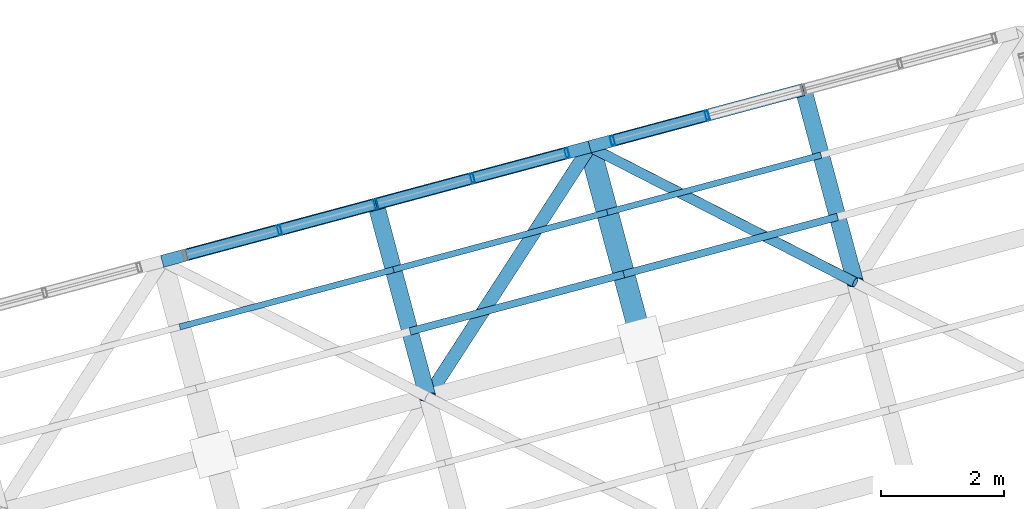
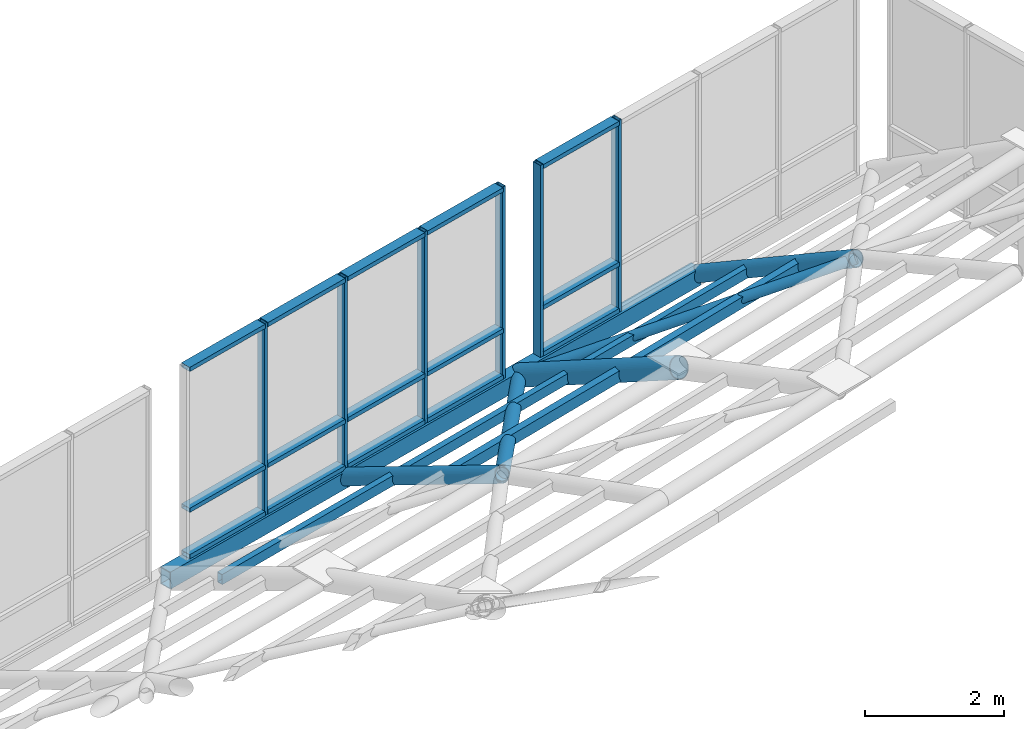
# One storey, part 20 of 29: 34 members, 2 elements without a shape of their own.
"""IFC4 building model written with IfcOpenShell, lengths in metres."""

from ifc_helpers import new_model, si_unit, direction, frame, origin, origin_2d, place, context, subcontext, project, spatial, hollow_rectangle, hollow_circle, extrude, material, layer, layer_set, material_profile, profile_set, type_object, element, aggregate, save


model = new_model("IFC4")

# Units and contexts
model_context = context("Model", 3, precision=1e-05, world=origin(), true_north=direction((0.0, 1.0)))
body_context = subcontext(model_context, "Body", "Model", "MODEL_VIEW")
ifc_project = project(units=[si_unit("LENGTHUNIT", "METRE"), si_unit("AREAUNIT", "SQUARE_METRE"), si_unit("VOLUMEUNIT", "CUBIC_METRE"), si_unit("PLANEANGLEUNIT", "RADIAN"), si_unit("MASSUNIT", "GRAM", prefix="KILO")], contexts=[model_context])

# Site, building, storey
site_placement = place(None, origin())
site = spatial("IfcSite", under=ifc_project, at=site_placement, CompositionType="ELEMENT")
building_placement = place(site_placement, origin())
building = spatial("IfcBuilding", under=site, at=building_placement, Name="Ventoquebrada Cableway Terminal", CompositionType="ELEMENT")
storey_placement = place(building_placement, frame((0.0, 0.0, 18.89990234375)))
storey = spatial("IfcBuildingStorey", under=building, at=storey_placement, Name="L04", CompositionType="ELEMENT", Elevation=18.89990234375)

# Members
ifc_material_1 = material(Name="Steel ASTM A500 Grade C", Category="steel")
ifc_material_profile_1 = material_profile(ifc_material_1, hollow_circle(Radius=0.109619140625, WallThickness=0.010009765625, at=origin_2d()), Name="CHS219.1X10")
ifc_profile_set_1 = profile_set([ifc_material_profile_1], Name="Steel ASTM A500 Grade C")
member_type_1 = type_object("IfcMemberType", Name="BRC-GS01", PredefinedType="BRACE", material=ifc_profile_set_1)
member_1_placement = place(storey_placement, frame((70.430908203125, 98.281005859375, 2.571044921875), z_axis=(0.514518979655, 0.794628506599, -0.322235559917), x_axis=(-0.839402648036, 0.543510068416, 0.0)))
element("IfcMember", 1, at=member_1_placement, inside=storey, type_object=member_type_1, Name="Saddle gridshell diagrid brace GBR-0382", PredefinedType="BRACE", context=body_context, shape_type="SweptSolid", body=[
    extrude(hollow_circle(Radius=0.109619140625, WallThickness=0.010009765625, at=origin_2d()), origin(), (0.0, 0.0, 1.0), 5.123291015625),
])
ifc_material_profile_2 = material_profile(ifc_material_1, hollow_circle(Radius=0.084228515625, WallThickness=0.008056640625, at=origin_2d()), Name="CHS168.3X8")
ifc_profile_set_2 = profile_set([ifc_material_profile_2], Name="Steel ASTM A500 Grade C")
member_type_2 = type_object("IfcMemberType", Name="BRC-GS02", PredefinedType="BRACE", material=ifc_profile_set_2)
member_2_placement = place(storey_placement, frame((73.06689453125, 102.35205078125, 0.920166015625), z_axis=(0.830464152068, -0.424362440489, 0.360895845407), x_axis=(0.455028578566, 0.890476834448, 0.0)))
element("IfcMember", 2, at=member_2_placement, inside=storey, type_object=member_type_2, Name="Saddle gridshell diagrid brace GBR-0406", PredefinedType="BRACE", context=body_context, shape_type="SweptSolid", body=[
    extrude(hollow_circle(Radius=0.084228515625, WallThickness=0.008056640625, at=origin_2d()), origin(), (0.0, 0.0, 1.0), 5.200927734375),
])
ifc_material_profile_3 = material_profile(ifc_material_1, hollow_circle(Radius=0.177734375, WallThickness=0.012451171875, at=origin_2d()), Name="CHS355.6X12.5")
ifc_profile_set_3 = profile_set([ifc_material_profile_3], Name="Steel ASTM A500 Grade C")
member_type_3 = type_object("IfcMemberType", Name="CHD-GS01", PredefinedType="CHORD", material=ifc_profile_set_3)
member_3_placement = place(storey_placement, frame((73.908935546875, 99.212890625, 2.6650390625), z_axis=(-0.228263792959, 0.850975891524, -0.473007053719), x_axis=(-0.965856133614, -0.259079001776, 0.0)))
element("IfcMember", 3, at=member_3_placement, inside=storey, type_object=member_type_3, Name="Saddle gridshell arch chord GCH-0086", PredefinedType="CHORD", context=body_context, shape_type="SweptSolid", body=[
    extrude(hollow_circle(Radius=0.177734375, WallThickness=0.012451171875, at=origin_2d()), origin(), (0.0, 0.0, 1.0), 3.68896484375),
])
ifc_material_profile_4 = material_profile(ifc_material_1, hollow_circle(Radius=0.136474609375, WallThickness=0.012451171875, at=origin_2d()), Name="CHS273.0X12.5")
ifc_profile_set_4 = profile_set([ifc_material_profile_4], Name="Steel ASTM A500 Grade C")
member_type_4 = type_object("IfcMemberType", Name="CHD-GS02", PredefinedType="CHORD", material=ifc_profile_set_4)
member_4_placement = place(storey_placement, frame((70.430908203125, 98.281005859375, 2.571044921875), z_axis=(-0.230631900019, 0.861253445456, -0.452826047599), x_axis=(-0.965965144809, -0.258672261778, 0.0)))
element("IfcMember", 4, at=member_4_placement, inside=storey, type_object=member_type_4, Name="Saddle gridshell arch chord GCH-0078", PredefinedType="CHORD", context=body_context, shape_type="SweptSolid", body=[
    extrude(hollow_circle(Radius=0.136474609375, WallThickness=0.012451171875, at=origin_2d()), origin(), (0.0, 0.0, 1.0), 3.645751953125),
])
member_5_placement = place(storey_placement, frame((77.385986328125, 100.14501953125, 2.797119140625), z_axis=(-0.224119470916, 0.836430780135, -0.500153989086), x_axis=(-0.965926253902, -0.258817449225, 0.0)))
element("IfcMember", 5, at=member_5_placement, inside=storey, type_object=member_type_4, Name="Saddle gridshell arch chord GCH-0094", PredefinedType="CHORD", context=body_context, shape_type="SweptSolid", body=[
    extrude(hollow_circle(Radius=0.136474609375, WallThickness=0.012451171875, at=origin_2d()), origin(), (0.0, 0.0, 1.0), 3.752685546875),
])
ifc_material_profile_5 = material_profile(ifc_material_1, hollow_rectangle(XDim=0.199951171875, YDim=0.300048828125, WallThickness=0.012451171875, at=origin_2d()), Name="RHS300X200X12.5")
ifc_profile_set_5 = profile_set([ifc_material_profile_5], Name="Steel ASTM A500 Grade C")
member_type_5 = type_object("IfcMemberType", Name="CHD-GS03", PredefinedType="CHORD", material=ifc_profile_set_5)
member_6_placement = place(storey_placement, frame((66.113037109375, 100.489013671875, 0.920166015625), z_axis=(0.965911114263, 0.258873944891, 0.0), x_axis=(-0.258873944891, 0.965911114263, 0.0)))
element("IfcMember", 6, at=member_6_placement, inside=storey, type_object=member_type_5, Name="Saddle gridshell longitudinal chord GLG-0189", PredefinedType="CHORD", context=body_context, shape_type="SweptSolid", body=[
    extrude(hollow_rectangle(XDim=0.199951171875, YDim=0.300048828125, WallThickness=0.012451171875, at=origin_2d()), origin(), (0.0, 0.0, 1.0), 3.599853515625),
])
member_7_placement = place(storey_placement, frame((69.590087890625, 101.4208984375, 0.920166015625), z_axis=(0.965957435169, 0.258701050329, 0.0), x_axis=(-0.258701050329, 0.965957435169, 0.0)))
element("IfcMember", 7, at=member_7_placement, inside=storey, type_object=member_type_5, Name="Saddle gridshell longitudinal chord GLG-0190", PredefinedType="CHORD", context=body_context, shape_type="SweptSolid", body=[
    extrude(hollow_rectangle(XDim=0.199951171875, YDim=0.300048828125, WallThickness=0.012451171875, at=origin_2d()), origin(), (0.0, 0.0, 1.0), 3.599365234375),
])
member_8_placement = place(storey_placement, frame((73.06689453125, 102.35205078125, 0.920166015625), z_axis=(0.965929287495, 0.25880612736, 0.0), x_axis=(-0.25880612736, 0.965929287495, 0.0)))
element("IfcMember", 8, at=member_8_placement, inside=storey, type_object=member_type_5, Name="Saddle gridshell longitudinal chord GLG-0191", PredefinedType="CHORD", context=body_context, shape_type="SweptSolid", body=[
    extrude(hollow_rectangle(XDim=0.199951171875, YDim=0.300048828125, WallThickness=0.012451171875, at=origin_2d()), origin(), (0.0, 0.0, 1.0), 3.6005859375),
])

# Curtain wall, members
ifc_material_2 = material(Name="Anodized thermally-broken aluminium", Category="aluminium")
ifc_layer = layer(ifc_material_2, 0.159912109375)
ifc_layer_set = layer_set([ifc_layer], Name="Anodized thermally-broken aluminium")
curtain_wall_type = type_object("IfcCurtainWallType", Name="CW-T45", PredefinedType="USERDEFINED", material=ifc_layer_set)
curtain_wall_1_placement = place(storey_placement, origin())
curtain_wall_1 = element("IfcCurtainWall", 9, at=curtain_wall_1_placement, inside=storey, type_object=curtain_wall_type, Name="Unitised glazed curtain wall CW-141", ObjectType="UNITISED CURTAIN WALL", PredefinedType="USERDEFINED")
ifc_material_profile_6 = material_profile(ifc_material_2, hollow_rectangle(XDim=0.06005859375, YDim=0.14990234375, WallThickness=0.00390625, at=origin_2d()), Name="CW-MUL-60X150")
ifc_profile_set_6 = profile_set([ifc_material_profile_6], Name="Anodized thermally-broken aluminium")
member_type_6 = type_object("IfcMemberType", Name="CWM-03", PredefinedType="MULLION", material=ifc_profile_set_6)
member_9_placement = place(storey_placement, frame((72.695068359375, 102.2529296875, 1.087158203125), z_axis=(0.0, 0.0, 1.0), x_axis=(-0.965894198369, -0.258937053273, 0.0)))
member_9 = element("IfcMember", 10, at=member_9_placement, type_object=member_type_6, Name="Curtain wall mullion FML-0686", PredefinedType="MULLION", context=body_context, shape_type="SweptSolid", body=[
    extrude(hollow_rectangle(XDim=0.06005859375, YDim=0.14990234375, WallThickness=0.00390625, at=origin_2d()), origin(), (0.0, 0.0, 1.0), 3.373046875),
])
member_10_placement = place(storey_placement, frame((71.158935546875, 101.841064453125, 1.087158203125), z_axis=(0.0, 0.0, 1.0), x_axis=(-0.965894198369, -0.258937053273, 0.0)))
member_10 = element("IfcMember", 11, at=member_10_placement, type_object=member_type_6, Name="Curtain wall mullion FML-0687", PredefinedType="MULLION", context=body_context, shape_type="SweptSolid", body=[
    extrude(hollow_rectangle(XDim=0.06005859375, YDim=0.14990234375, WallThickness=0.00390625, at=origin_2d()), origin(), (0.0, 0.0, 1.0), 3.373046875),
])
member_11_placement = place(storey_placement, frame((69.590087890625, 101.4208984375, 1.087158203125), z_axis=(0.0, 0.0, 1.0), x_axis=(-0.965894198369, -0.258937053273, 0.0)))
member_11 = element("IfcMember", 12, at=member_11_placement, type_object=member_type_6, Name="Curtain wall mullion FML-0688", PredefinedType="MULLION", context=body_context, shape_type="SweptSolid", body=[
    extrude(hollow_rectangle(XDim=0.06005859375, YDim=0.14990234375, WallThickness=0.00390625, at=origin_2d()), origin(), (0.0, 0.0, 1.0), 3.373046875),
])
member_12_placement = place(storey_placement, frame((68.02001953125, 101.0, 1.087158203125), z_axis=(0.0, 0.0, 1.0), x_axis=(-0.965894198369, -0.258937053273, 0.0)))
member_12 = element("IfcMember", 13, at=member_12_placement, type_object=member_type_6, Name="Curtain wall mullion FML-0689", PredefinedType="MULLION", context=body_context, shape_type="SweptSolid", body=[
    extrude(hollow_rectangle(XDim=0.06005859375, YDim=0.14990234375, WallThickness=0.00390625, at=origin_2d()), origin(), (0.0, 0.0, 1.0), 3.373046875),
])

curtain_wall_2_placement = place(storey_placement, origin())
curtain_wall_2 = element("IfcCurtainWall", 14, at=curtain_wall_2_placement, inside=storey, type_object=curtain_wall_type, Name="Unitised glazed curtain wall CW-142", ObjectType="UNITISED CURTAIN WALL", PredefinedType="USERDEFINED")
member_13_placement = place(storey_placement, frame((74.97509765625, 102.864013671875, 1.087158203125), z_axis=(0.0, 0.0, 1.0), x_axis=(-0.965943892913, -0.258751610128, 0.0)))
member_13 = element("IfcMember", 15, at=member_13_placement, type_object=member_type_6, Name="Curtain wall mullion FML-0694", PredefinedType="MULLION", context=body_context, shape_type="SweptSolid", body=[
    extrude(hollow_rectangle(XDim=0.06005859375, YDim=0.14990234375, WallThickness=0.00390625, at=origin_2d()), origin(), (0.0, 0.0, 1.0), 3.373046875),
])
member_14_placement = place(storey_placement, frame((73.43896484375, 102.451904296875, 1.087158203125), z_axis=(0.0, 0.0, 1.0), x_axis=(-0.965943892913, -0.258751610128, 0.0)))
member_14 = element("IfcMember", 16, at=member_14_placement, type_object=member_type_6, Name="Curtain wall mullion FML-0695", PredefinedType="MULLION", context=body_context, shape_type="SweptSolid", body=[
    extrude(hollow_rectangle(XDim=0.06005859375, YDim=0.14990234375, WallThickness=0.00390625, at=origin_2d()), origin(), (0.0, 0.0, 1.0), 3.373046875),
])

# Member
ifc_material_profile_7 = material_profile(ifc_material_2, hollow_rectangle(XDim=0.074951171875, YDim=0.169921875, WallThickness=0.00439453125, at=origin_2d()), Name="CW-TRN-75X170")
ifc_profile_set_7 = profile_set([ifc_material_profile_7], Name="Anodized thermally-broken aluminium")
member_type_7 = type_object("IfcMemberType", Name="CWT-03", PredefinedType="USERDEFINED", material=ifc_profile_set_7)
member_15_placement = place(storey_placement, frame((72.6708984375, 102.24609375, 1.130126953125), z_axis=(-0.965957961207, -0.258699086162, 0.0), x_axis=(0.0, 0.0, 1.0)))
member_15 = element("IfcMember", 17, at=member_15_placement, type_object=member_type_7, Name="Curtain wall transom FTR-2016", ObjectType="TRANSOM", PredefinedType="USERDEFINED", context=body_context, shape_type="SweptSolid", body=[
    extrude(hollow_rectangle(XDim=0.074951171875, YDim=0.169921875, WallThickness=0.00439453125, at=origin_2d()), origin(), (0.0, 0.0, 1.0), 1.539306640625),
])

member_16_placement = place(storey_placement, frame((72.6708984375, 102.24609375, 1.945068359375), z_axis=(-0.965957961207, -0.258699086162, 0.0), x_axis=(0.0, 0.0, 1.0)))
member_16 = element("IfcMember", 18, at=member_16_placement, type_object=member_type_7, Name="Curtain wall transom FTR-2017", ObjectType="TRANSOM", PredefinedType="USERDEFINED", context=body_context, shape_type="SweptSolid", body=[
    extrude(hollow_rectangle(XDim=0.074951171875, YDim=0.169921875, WallThickness=0.00439453125, at=origin_2d()), origin(), (0.0, 0.0, 1.0), 1.539306640625),
])

member_17_placement = place(storey_placement, frame((72.6708984375, 102.24609375, 4.420166015625), z_axis=(-0.965957961207, -0.258699086162, 0.0), x_axis=(0.0, 0.0, 1.0)))
member_17 = element("IfcMember", 19, at=member_17_placement, type_object=member_type_7, Name="Curtain wall transom FTR-2018", ObjectType="TRANSOM", PredefinedType="USERDEFINED", context=body_context, shape_type="SweptSolid", body=[
    extrude(hollow_rectangle(XDim=0.074951171875, YDim=0.169921875, WallThickness=0.00439453125, at=origin_2d()), origin(), (0.0, 0.0, 1.0), 1.539306640625),
])

member_18_placement = place(storey_placement, frame((71.135009765625, 101.8349609375, 1.130126953125), z_axis=(-0.965860816082, -0.259061544731, 0.0), x_axis=(0.0, 0.0, 1.0)))
member_18 = element("IfcMember", 20, at=member_18_placement, type_object=member_type_7, Name="Curtain wall transom FTR-2019", ObjectType="TRANSOM", PredefinedType="USERDEFINED", context=body_context, shape_type="SweptSolid", body=[
    extrude(hollow_rectangle(XDim=0.074951171875, YDim=0.169921875, WallThickness=0.00439453125, at=origin_2d()), origin(), (0.0, 0.0, 1.0), 1.57470703125),
])

member_19_placement = place(storey_placement, frame((71.135009765625, 101.8349609375, 1.945068359375), z_axis=(-0.965860816082, -0.259061544731, 0.0), x_axis=(0.0, 0.0, 1.0)))
member_19 = element("IfcMember", 21, at=member_19_placement, type_object=member_type_7, Name="Curtain wall transom FTR-2020", ObjectType="TRANSOM", PredefinedType="USERDEFINED", context=body_context, shape_type="SweptSolid", body=[
    extrude(hollow_rectangle(XDim=0.074951171875, YDim=0.169921875, WallThickness=0.00439453125, at=origin_2d()), origin(), (0.0, 0.0, 1.0), 1.57470703125),
])

member_20_placement = place(storey_placement, frame((71.135009765625, 101.8349609375, 4.420166015625), z_axis=(-0.965860816082, -0.259061544731, 0.0), x_axis=(0.0, 0.0, 1.0)))
member_20 = element("IfcMember", 22, at=member_20_placement, type_object=member_type_7, Name="Curtain wall transom FTR-2021", ObjectType="TRANSOM", PredefinedType="USERDEFINED", context=body_context, shape_type="SweptSolid", body=[
    extrude(hollow_rectangle(XDim=0.074951171875, YDim=0.169921875, WallThickness=0.00439453125, at=origin_2d()), origin(), (0.0, 0.0, 1.0), 1.57470703125),
])

member_21_placement = place(storey_placement, frame((69.56591796875, 101.4140625, 1.130126953125), z_axis=(-0.965860816082, -0.259061544731, 0.0), x_axis=(0.0, 0.0, 1.0)))
member_21 = element("IfcMember", 23, at=member_21_placement, type_object=member_type_7, Name="Curtain wall transom FTR-2022", ObjectType="TRANSOM", PredefinedType="USERDEFINED", context=body_context, shape_type="SweptSolid", body=[
    extrude(hollow_rectangle(XDim=0.074951171875, YDim=0.169921875, WallThickness=0.00439453125, at=origin_2d()), origin(), (0.0, 0.0, 1.0), 1.57470703125),
])

member_22_placement = place(storey_placement, frame((69.56591796875, 101.4140625, 1.945068359375), z_axis=(-0.965860816082, -0.259061544731, 0.0), x_axis=(0.0, 0.0, 1.0)))
member_22 = element("IfcMember", 24, at=member_22_placement, type_object=member_type_7, Name="Curtain wall transom FTR-2023", ObjectType="TRANSOM", PredefinedType="USERDEFINED", context=body_context, shape_type="SweptSolid", body=[
    extrude(hollow_rectangle(XDim=0.074951171875, YDim=0.169921875, WallThickness=0.00439453125, at=origin_2d()), origin(), (0.0, 0.0, 1.0), 1.57470703125),
])

member_23_placement = place(storey_placement, frame((69.56591796875, 101.4140625, 4.420166015625), z_axis=(-0.965860816082, -0.259061544731, 0.0), x_axis=(0.0, 0.0, 1.0)))
member_23 = element("IfcMember", 25, at=member_23_placement, type_object=member_type_7, Name="Curtain wall transom FTR-2024", ObjectType="TRANSOM", PredefinedType="USERDEFINED", context=body_context, shape_type="SweptSolid", body=[
    extrude(hollow_rectangle(XDim=0.074951171875, YDim=0.169921875, WallThickness=0.00439453125, at=origin_2d()), origin(), (0.0, 0.0, 1.0), 1.57470703125),
])

member_24_placement = place(storey_placement, frame((67.99609375, 100.992919921875, 1.130126953125), z_axis=(-0.966008188998, -0.258511467422, 0.0), x_axis=(0.0, 0.0, 1.0)))
member_24 = element("IfcMember", 26, at=member_24_placement, type_object=member_type_7, Name="Curtain wall transom FTR-2025", ObjectType="TRANSOM", PredefinedType="USERDEFINED", context=body_context, shape_type="SweptSolid", body=[
    extrude(hollow_rectangle(XDim=0.074951171875, YDim=0.169921875, WallThickness=0.00439453125, at=origin_2d()), origin(), (0.0, 0.0, 1.0), 1.539306640625),
])

member_25_placement = place(storey_placement, frame((67.99609375, 100.992919921875, 1.945068359375), z_axis=(-0.966008188998, -0.258511467422, 0.0), x_axis=(0.0, 0.0, 1.0)))
member_25 = element("IfcMember", 27, at=member_25_placement, type_object=member_type_7, Name="Curtain wall transom FTR-2026", ObjectType="TRANSOM", PredefinedType="USERDEFINED", context=body_context, shape_type="SweptSolid", body=[
    extrude(hollow_rectangle(XDim=0.074951171875, YDim=0.169921875, WallThickness=0.00439453125, at=origin_2d()), origin(), (0.0, 0.0, 1.0), 1.539306640625),
])

member_26_placement = place(storey_placement, frame((67.99609375, 100.992919921875, 4.420166015625), z_axis=(-0.966008188998, -0.258511467422, 0.0), x_axis=(0.0, 0.0, 1.0)))
member_26 = element("IfcMember", 28, at=member_26_placement, type_object=member_type_7, Name="Curtain wall transom FTR-2027", ObjectType="TRANSOM", PredefinedType="USERDEFINED", context=body_context, shape_type="SweptSolid", body=[
    extrude(hollow_rectangle(XDim=0.074951171875, YDim=0.169921875, WallThickness=0.00439453125, at=origin_2d()), origin(), (0.0, 0.0, 1.0), 1.539306640625),
])

aggregate(curtain_wall_1, [member_9, member_10, member_11, member_12, member_15, member_16, member_17, member_18, member_19, member_20, member_21, member_22, member_23, member_24, member_25, member_26])

member_27_placement = place(storey_placement, frame((74.950927734375, 102.85693359375, 1.130126953125), z_axis=(-0.966050544784, -0.25835313995, 0.0), x_axis=(0.0, 0.0, 1.0)))
member_27 = element("IfcMember", 29, at=member_27_placement, type_object=member_type_7, Name="Curtain wall transom FTR-2037", ObjectType="TRANSOM", PredefinedType="USERDEFINED", context=body_context, shape_type="SweptSolid", body=[
    extrude(hollow_rectangle(XDim=0.074951171875, YDim=0.169921875, WallThickness=0.00439453125, at=origin_2d()), origin(), (0.0, 0.0, 1.0), 1.540283203125),
])

member_28_placement = place(storey_placement, frame((74.950927734375, 102.85693359375, 1.945068359375), z_axis=(-0.966050544784, -0.25835313995, 0.0), x_axis=(0.0, 0.0, 1.0)))
member_28 = element("IfcMember", 30, at=member_28_placement, type_object=member_type_7, Name="Curtain wall transom FTR-2038", ObjectType="TRANSOM", PredefinedType="USERDEFINED", context=body_context, shape_type="SweptSolid", body=[
    extrude(hollow_rectangle(XDim=0.074951171875, YDim=0.169921875, WallThickness=0.00439453125, at=origin_2d()), origin(), (0.0, 0.0, 1.0), 1.540283203125),
])

member_29_placement = place(storey_placement, frame((74.950927734375, 102.85693359375, 4.420166015625), z_axis=(-0.966050544784, -0.25835313995, 0.0), x_axis=(0.0, 0.0, 1.0)))
member_29 = element("IfcMember", 31, at=member_29_placement, type_object=member_type_7, Name="Curtain wall transom FTR-2039", ObjectType="TRANSOM", PredefinedType="USERDEFINED", context=body_context, shape_type="SweptSolid", body=[
    extrude(hollow_rectangle(XDim=0.074951171875, YDim=0.169921875, WallThickness=0.00439453125, at=origin_2d()), origin(), (0.0, 0.0, 1.0), 1.540283203125),
])

aggregate(curtain_wall_2, [member_13, member_14, member_27, member_28, member_29])

# Members
ifc_material_profile_8 = material_profile(ifc_material_1, hollow_rectangle(XDim=0.1201171875, YDim=0.199951171875, WallThickness=0.008056640625, at=origin_2d()), Name="RHS200X120X8")
ifc_profile_set_8 = profile_set([ifc_material_profile_8], Name="Steel ASTM A500 Grade C")
member_type_8 = type_object("IfcMemberType", Name="PUR-RF01", PredefinedType="PURLIN", material=ifc_profile_set_8)
member_30_placement = place(storey_placement, frame((70.14501953125, 99.34912109375, 2.010009765625), z_axis=(0.965853813551, 0.258514712275, 0.017220754502), x_axis=(-0.258553052639, 0.965997059504, 0.0)))
element("IfcMember", 32, at=member_30_placement, inside=storey, type_object=member_type_8, Name="Gridshell secondary roof purlin GPR-0383", PredefinedType="PURLIN", context=body_context, shape_type="SweptSolid", body=[
    extrude(hollow_rectangle(XDim=0.1201171875, YDim=0.199951171875, WallThickness=0.008056640625, at=origin_2d()), origin(), (0.0, 0.0, 1.0), 3.60107421875),
])
member_31_placement = place(storey_placement, frame((73.623046875, 100.280029296875, 2.072021484375), z_axis=(0.965628115154, 0.258798098269, 0.024205114247), x_axis=(-0.258873944891, 0.965911114263, 0.0)))
element("IfcMember", 33, at=member_31_placement, inside=storey, type_object=member_type_8, Name="Gridshell secondary roof purlin GPR-0407", PredefinedType="PURLIN", context=body_context, shape_type="SweptSolid", body=[
    extrude(hollow_rectangle(XDim=0.1201171875, YDim=0.199951171875, WallThickness=0.008056640625, at=origin_2d()), origin(), (0.0, 0.0, 1.0), 3.600830078125),
])
ifc_material_profile_9 = material_profile(ifc_material_1, hollow_rectangle(XDim=0.10009765625, YDim=0.179931640625, WallThickness=0.008056640625, at=origin_2d()), Name="RHS180X100X8")
ifc_profile_set_9 = profile_set([ifc_material_profile_9], Name="Steel ASTM A500 Grade C")
member_type_9 = type_object("IfcMemberType", Name="PUR-RF02", PredefinedType="PURLIN", material=ifc_profile_set_9)
member_32_placement = place(storey_placement, frame((66.39892578125, 99.422119140625, 1.462158203125), z_axis=(0.965965402565, 0.258617194213, 0.005290359598), x_axis=(-0.258620813366, 0.965978920523, 0.0)))
element("IfcMember", 34, at=member_32_placement, inside=storey, type_object=member_type_9, Name="Gridshell secondary roof purlin GPR-0360", PredefinedType="PURLIN", context=body_context, shape_type="SweptSolid", body=[
    extrude(hollow_rectangle(XDim=0.10009765625, YDim=0.179931640625, WallThickness=0.008056640625, at=origin_2d()), origin(), (0.0, 0.0, 1.0), 3.599609375),
])
member_33_placement = place(storey_placement, frame((69.8759765625, 100.35302734375, 1.481201171875), z_axis=(0.965872993954, 0.258863728263, 0.008884241132), x_axis=(-0.258873944891, 0.965911114263, 0.0)))
element("IfcMember", 35, at=member_33_placement, inside=storey, type_object=member_type_9, Name="Gridshell secondary roof purlin GPR-0384", PredefinedType="PURLIN", context=body_context, shape_type="SweptSolid", body=[
    extrude(hollow_rectangle(XDim=0.10009765625, YDim=0.179931640625, WallThickness=0.008056640625, at=origin_2d()), origin(), (0.0, 0.0, 1.0), 3.599853515625),
])
member_34_placement = place(storey_placement, frame((73.35302734375, 101.284912109375, 1.51318359375), z_axis=(0.965837176409, 0.258849244667, 0.012474662394), x_axis=(-0.258869387716, 0.96591233562, 0.0)))
element("IfcMember", 36, at=member_34_placement, inside=storey, type_object=member_type_9, Name="Gridshell secondary roof purlin GPR-0408", PredefinedType="PURLIN", context=body_context, shape_type="SweptSolid", body=[
    extrude(hollow_rectangle(XDim=0.10009765625, YDim=0.179931640625, WallThickness=0.008056640625, at=origin_2d()), origin(), (0.0, 0.0, 1.0), 3.60107421875),
])

save(model, "model.ifc")
